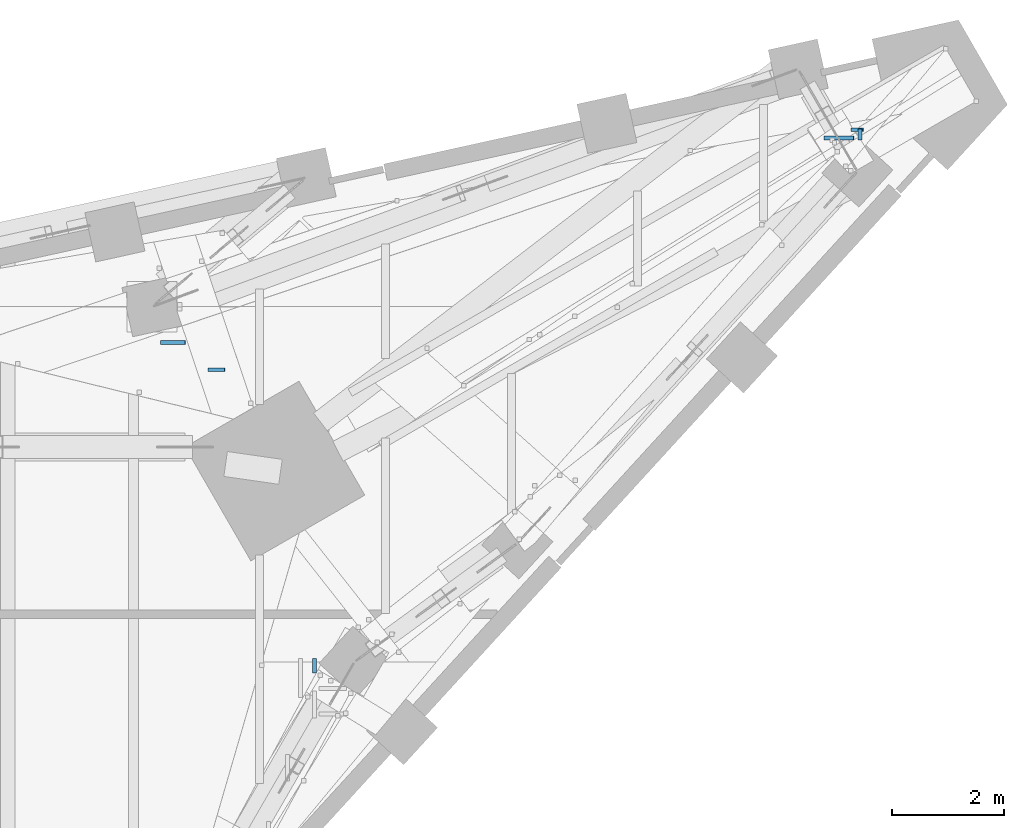
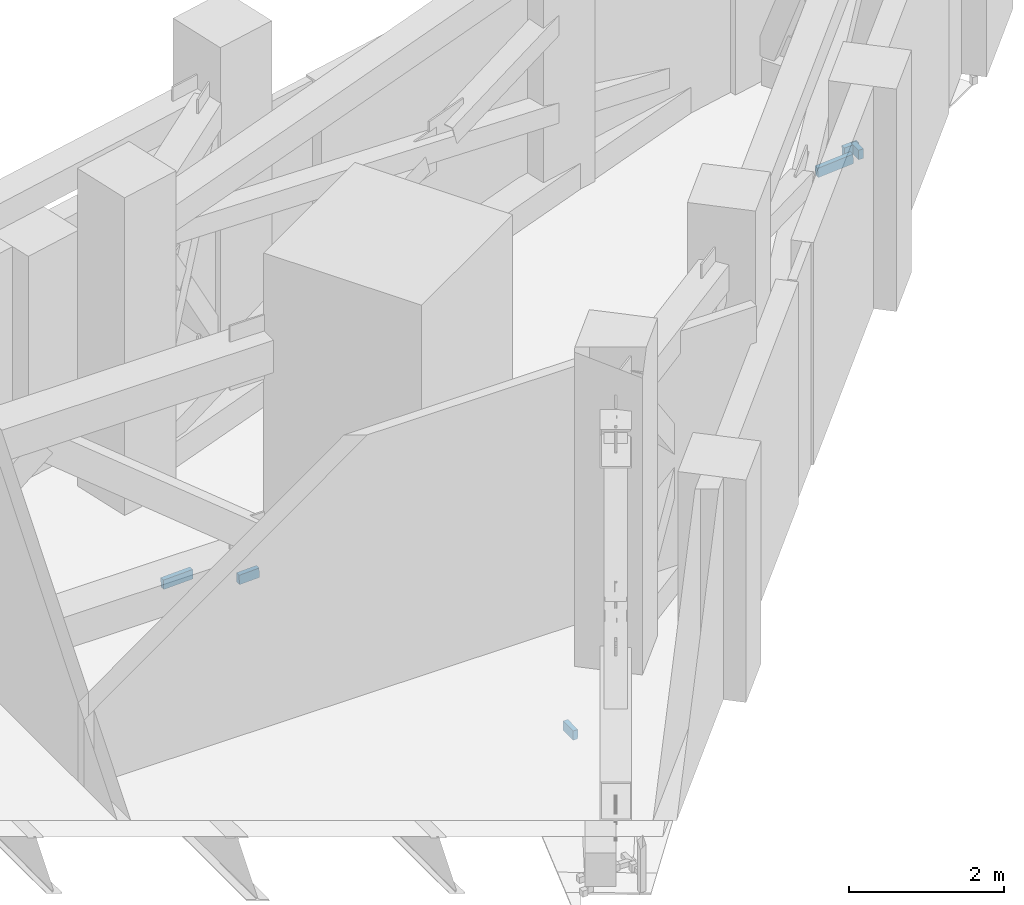
# One storey, part 6 of 23: 6 members, 1 element without a shape of its own.
"""IFC4 building model written with IfcOpenShell, lengths in metres."""

from ifc_helpers import new_model, si_unit, direction, frame, origin, origin_2d, place, context, subcontext, project, spatial, rectangle, extrude, material, material_profile, profile_set, type_object, element, aggregate, save


model = new_model("IFC4")

# Units and contexts
model_context = context("Model", 3, precision=1e-05, world=origin(), true_north=direction((0.0, 1.0)))
body_context = subcontext(model_context, "Body", "Model", "MODEL_VIEW")
ifc_project = project(units=[si_unit("LENGTHUNIT", "METRE"), si_unit("AREAUNIT", "SQUARE_METRE"), si_unit("VOLUMEUNIT", "CUBIC_METRE"), si_unit("PLANEANGLEUNIT", "RADIAN"), si_unit("MASSUNIT", "GRAM", prefix="KILO")], contexts=[model_context])

# Site, building, storey
site_placement = place(None, origin())
site = spatial("IfcSite", under=ifc_project, at=site_placement, CompositionType="ELEMENT")
building_placement = place(site_placement, origin())
building = spatial("IfcBuilding", under=site, at=building_placement, Name="Calabash Gate Tower", CompositionType="ELEMENT")
storey_placement = place(building_placement, frame((0.0, 0.0, 243.199951171875)))
storey = spatial("IfcBuildingStorey", under=building, at=storey_placement, Name="L58", CompositionType="ELEMENT", Elevation=243.199951171875)

# Curtain wall, members
ifc_material_1 = material(Name="Anodised aluminium frame, bronze finish, dark tinted laminated glass", Category="aluminium")
curtain_wall_type = type_object("IfcCurtainWallType", Name="Curtain wall CWD soffit glazing", PredefinedType="NOTDEFINED", material=ifc_material_1)
curtain_wall_placement = place(storey_placement, origin())
curtain_wall = element("IfcCurtainWall", 1, at=curtain_wall_placement, inside=storey, type_object=curtain_wall_type, Name="Curtain wall CWD soffit Z5 NE", PredefinedType="NOTDEFINED")
ifc_material_2 = material(Name="Anodised aluminium frame, bronze finish", Category="aluminium")
ifc_material_profile = material_profile(ifc_material_2, rectangle(XDim=0.14990234375, YDim=0.070068359375, at=origin_2d()))
ifc_profile_set = profile_set([ifc_material_profile], Name="Anodised aluminium frame, bronze finish")
member_type = type_object("IfcMemberType", Name="Soffit raking mullion 150x70", PredefinedType="MULLION", material=ifc_profile_set)
member_1_placement = place(storey_placement, frame((32.5849609375, 22.0634765625, -1.0634765625), z_axis=(0.99723873131, 0.0, 0.074262458715), x_axis=(-0.074262458715, 0.0, 0.99723873131)))
member_1 = element("IfcMember", 2, at=member_1_placement, type_object=member_type, Name="Soffit joint mullion Z5 NE 1", PredefinedType="MULLION", context=body_context, shape_type="SweptSolid", body=[
    extrude(rectangle(XDim=0.14990234375, YDim=0.070068359375, at=origin_2d()), origin(), (0.0, 0.0, 1.0), 0.529296875),
])
member_2_placement = place(storey_placement, frame((21.8798828125, 17.926513671875, -1.09765625), z_axis=(-0.999294555119, 0.0, -0.037555187529), x_axis=(-0.037555187529, 0.0, 0.999294555119)))
member_2 = element("IfcMember", 3, at=member_2_placement, type_object=member_type, Name="Soffit joint mullion Z5 NE 2", PredefinedType="MULLION", context=body_context, shape_type="SweptSolid", body=[
    extrude(rectangle(XDim=0.14990234375, YDim=0.070068359375, at=origin_2d()), origin(), (0.0, 0.0, 1.0), 0.299072265625),
])
member_3_placement = place(storey_placement, frame((20.73388671875, 18.41357421875, -1.18408203125), z_axis=(0.999307203342, 0.0, 0.037217110964), x_axis=(-0.037217110964, 0.0, 0.999307203342)))
member_3 = element("IfcMember", 4, at=member_3_placement, type_object=member_type, Name="Soffit joint mullion Z5 NE 3", PredefinedType="MULLION", context=body_context, shape_type="SweptSolid", body=[
    extrude(rectangle(XDim=0.14990234375, YDim=0.070068359375, at=origin_2d()), origin(), (0.0, 0.0, 1.0), 0.439453125),
])
member_4_placement = place(storey_placement, frame((23.48095703125, 12.76904296875, -0.94580078125), z_axis=(0.0, -0.999836009236, -0.018109517803), x_axis=(0.0, -0.018109517803, 0.999836009236)))
member_4 = element("IfcMember", 5, at=member_4_placement, type_object=member_type, Name="Soffit joint mullion Z5 NE 8", PredefinedType="MULLION", context=body_context, shape_type="SweptSolid", body=[
    extrude(rectangle(XDim=0.14990234375, YDim=0.070068359375, at=origin_2d()), origin(), (0.0, 0.0, 1.0), 0.256103515625),
])
member_5_placement = place(storey_placement, frame((33.283935546875, 22.214111328125, -0.99609375), z_axis=(-0.999068967139, 0.0, -0.04314161449), x_axis=(-0.04314161449, 0.0, 0.999068967139)))
member_5 = element("IfcMember", 6, at=member_5_placement, type_object=member_type, Name="Soffit joint mullion Z5 NE 11", PredefinedType="MULLION", context=body_context, shape_type="SweptSolid", body=[
    extrude(rectangle(XDim=0.14990234375, YDim=0.070068359375, at=origin_2d()), origin(), (0.0, 0.0, 1.0), 0.215087890625),
])
member_6_placement = place(storey_placement, frame((33.22900390625, 22.22705078125, -0.995361328125), z_axis=(0.0, -0.999987562498, 0.00498746914), x_axis=(0.0, 0.00498746914, 0.999987562498)))
member_6 = element("IfcMember", 7, at=member_6_placement, type_object=member_type, Name="Soffit joint mullion Z5 NE 12", PredefinedType="MULLION", context=body_context, shape_type="SweptSolid", body=[
    extrude(rectangle(XDim=0.14990234375, YDim=0.070068359375, at=origin_2d()), origin(), (0.0, 0.0, 1.0), 0.19580078125),
])
aggregate(curtain_wall, [member_1, member_2, member_3, member_4, member_5, member_6])

save(model, "model.ifc")
